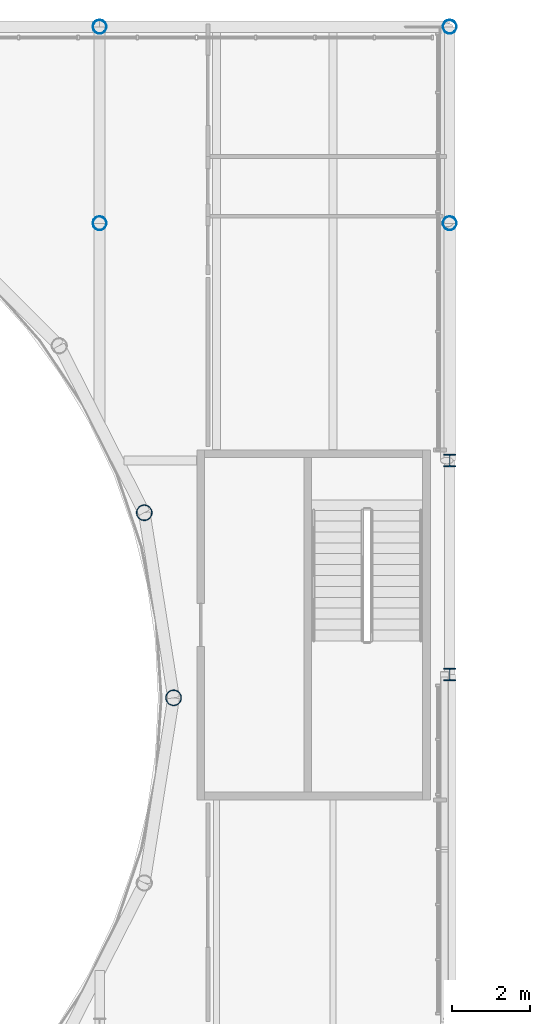
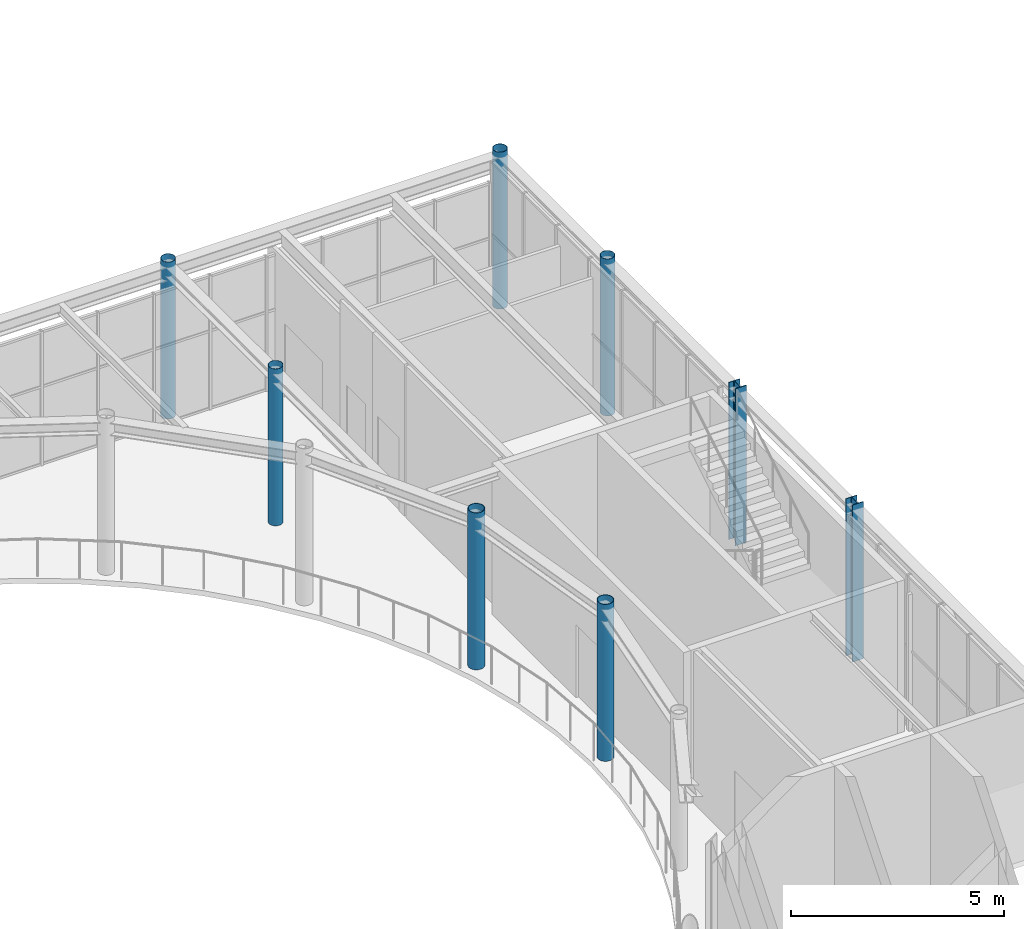
# One storey, part 13 of 111: 8 columns.
"""IFC4 building model written with IfcOpenShell, lengths in metres."""

import ifcopenshell
import ifcopenshell.guid

model = None  # the IFC model being written
_history = None  # IfcOwnerHistory: only IFC2X3 demands one
_inside = {}  # id of a spatial element -> (the spatial element, [elements in it])
_under = {}  # id of a project, library or spatial element -> (it, [spatial elements below it])
_declared = {}  # id of a project -> (the project, [libraries it declares])
_typed = {}  # id of a type object -> (the type object, [elements of that type])
_made_of = {}  # id of a material, layer set ... -> (it, [elements and type objects made of it])


def new_model(schema):
    """Start an empty IFC model of exactly this schema.

    Asked for "IFC4X3", IfcOpenShell would pick the latest addendum, in which some entities
    have other attributes; the version numbers below select the first issue.
    IFC2X3 requires an IfcOwnerHistory on every rooted entity: one is made here for all.
    """
    global model, _history
    if schema == "IFC4X3":
        model = ifcopenshell.file(schema_version=(4, 3, 0, 0))
    else:
        model = ifcopenshell.file(schema=schema)
    _inside.clear()
    _under.clear()
    _declared.clear()
    _typed.clear()
    _made_of.clear()
    _history = None
    if model.schema == "IFC2X3":
        org = make("IfcOrganization", Name="unknown")
        user = make(
            "IfcPersonAndOrganization",
            ThePerson=make("IfcPerson", FamilyName="unknown"),
            TheOrganization=org,
        )
        app = make(
            "IfcApplication",
            ApplicationDeveloper=org,
            Version="unknown",
            ApplicationFullName="unknown",
            ApplicationIdentifier="unknown",
        )
        _history = make(
            "IfcOwnerHistory",
            OwningUser=user,
            OwningApplication=app,
            ChangeAction="ADDED",
            CreationDate=0,
        )
    return model


def make(cls, **values):
    """One entity of the class cls with the attributes given. An attribute that is None is left unset."""
    return model.create_entity(
        cls, **{name: value for name, value in values.items() if value is not None}
    )


def rooted(cls, **values):
    """An entity with a GlobalId (a new one), such as an element, a storey or a relation."""
    return make(cls, GlobalId=ifcopenshell.guid.new(), OwnerHistory=_history, **values)


def si_unit(unit_type, name, prefix=None):
    """IfcSIUnit, for example si_unit("LENGTHUNIT", "METRE", prefix="MILLI")."""
    return make("IfcSIUnit", UnitType=unit_type, Prefix=prefix, Name=name)


def assignment(units):
    """IfcUnitAssignment: the units of a project."""
    return None if units is None else make("IfcUnitAssignment", Units=units)


def point(xyz):
    """IfcCartesianPoint."""
    return None if xyz is None else make("IfcCartesianPoint", Coordinates=xyz)


def direction(xyz):
    """IfcDirection."""
    return None if xyz is None else make("IfcDirection", DirectionRatios=xyz)


def frame(location, z_axis=None, x_axis=None):
    """IfcAxis2Placement3D, a coordinate frame: its origin and axes. An axis left out is left unset."""
    return make(
        "IfcAxis2Placement3D",
        Location=point(location),
        Axis=direction(z_axis),
        RefDirection=direction(x_axis),
    )


def frame_2d(location, x_axis=None):
    """IfcAxis2Placement2D, a coordinate frame in the plane: its origin and x axis."""
    return make(
        "IfcAxis2Placement2D", Location=point(location), RefDirection=direction(x_axis)
    )


def origin():
    """The frame at (0, 0, 0) with its axes left unset."""
    return frame((0.0, 0.0, 0.0))


def origin_2d():
    """The frame at (0, 0) in the plane with its x axis left unset."""
    return frame_2d((0.0, 0.0))


def place(relative_to, where):
    """IfcLocalPlacement: puts the frame where relative to a parent placement (None: the world)."""
    return make(
        "IfcLocalPlacement", PlacementRelTo=relative_to, RelativePlacement=where
    )


def context(
    kind, dimensions, precision=None, world=None, true_north=None, identifier=None
):
    """IfcGeometricRepresentationContext, for example the 3D "Model" context."""
    return make(
        "IfcGeometricRepresentationContext",
        ContextIdentifier=identifier,
        ContextType=kind,
        CoordinateSpaceDimension=dimensions,
        Precision=precision,
        WorldCoordinateSystem=world,
        TrueNorth=true_north,
    )


def subcontext(parent, identifier, kind, view, scale=None):
    """IfcGeometricRepresentationSubContext, for example "Body" below "Model"."""
    return make(
        "IfcGeometricRepresentationSubContext",
        ContextIdentifier=identifier,
        ContextType=kind,
        ParentContext=parent,
        TargetScale=scale,
        TargetView=view,
    )


def project(units=None, contexts=None):
    """IfcProject with its units and contexts."""
    return rooted(
        "IfcProject",
        Name="project",
        RepresentationContexts=contexts,
        UnitsInContext=assignment(units),
    )


def spatial(cls, under=None, at=None, **own):
    """A site, building, storey or space (cls), placed at a placement, below another one or the project."""
    s = rooted(cls, ObjectPlacement=at, **own)
    if under is not None:
        _under.setdefault(under.id(), (under, []))[1].append(s)
    return s


def profile(cls, at=None, kind="AREA", **sizes):
    """A parametric profile (cls). Its sizes go by their IFC names, for example OverallWidth=200.0."""
    return make(cls, ProfileType=kind, Position=at, **sizes)


def hollow_circle(**sizes):
    """IfcCircleHollowProfileDef."""
    return profile("IfcCircleHollowProfileDef", **sizes)


def i_section(**sizes):
    """IfcIShapeProfileDef."""
    return profile("IfcIShapeProfileDef", **sizes)


def extrude(swept, where, along, depth):
    """IfcExtrudedAreaSolid: the profile swept, set in the frame where, extruded along a direction by depth."""
    return make(
        "IfcExtrudedAreaSolid",
        SweptArea=swept,
        Position=where,
        ExtrudedDirection=direction(along),
        Depth=depth,
    )


def shape(context_of_items, identifier, shape_type, items):
    """IfcShapeRepresentation: the items that make up one representation, for example the "Body"."""
    return make(
        "IfcShapeRepresentation",
        ContextOfItems=context_of_items,
        RepresentationIdentifier=identifier,
        RepresentationType=shape_type,
        Items=items,
    )


def material(Name=None, Category=None):
    """IfcMaterial."""
    return make("IfcMaterial", Name=Name, Category=Category)


def material_profile(
    of_material, cross_section, Name=None, Category=None, Priority=None
):
    """IfcMaterialProfile: a cross section and its material."""
    return make(
        "IfcMaterialProfile",
        Name=Name,
        Material=of_material,
        Profile=cross_section,
        Priority=Priority,
        Category=Category,
    )


def profile_set(profiles, Name=None, composite=None):
    """IfcMaterialProfileSet."""
    return make(
        "IfcMaterialProfileSet",
        Name=Name,
        MaterialProfiles=profiles,
        CompositeProfile=composite,
    )


def made_of(thing, what):
    """Note that an element or type object is made of a material, layer set ...; save() writes the relation."""
    if what is not None:
        _made_of.setdefault(what.id(), (what, []))[1].append(thing)
    return thing


def type_object(cls, material=None, **own):
    """A type object (cls), such as IfcWallType, which elements share."""
    return made_of(rooted(cls, **own), material)


def element(
    cls,
    number,
    at=None,
    inside=None,
    cuts=None,
    type_object=None,
    material=None,
    context=None,
    identifier="Body",
    shape_type=None,
    held_by="IfcProductDefinitionShape",
    body=None,
    shapes=None,
    **own,
):
    """One element of the class cls, such as IfcWall. Its Tag is "e" and its number.

    at: its placement. inside: the storey or other place that contains it. cuts: it is an
    opening in that element (IfcRelVoidsElement). A single representation is given by context,
    identifier, shape_type and body (its items); several are given by shapes. held_by: the class
    of the entity that holds the representations. save() writes the other relations.
    """
    e = rooted(cls, Tag="e%d" % number, ObjectPlacement=at, **own)
    if body is not None:
        shapes = [shape(context, identifier, shape_type, body)]
    if shapes is not None:
        e.Representation = make(held_by, Representations=shapes)
    if inside is not None:
        _inside.setdefault(inside.id(), (inside, []))[1].append(e)
    if cuts is not None:
        rooted(
            "IfcRelVoidsElement", RelatingBuildingElement=cuts, RelatedOpeningElement=e
        )
    if type_object is not None:
        _typed.setdefault(type_object.id(), (type_object, []))[1].append(e)
    return made_of(e, material)


def aggregate(whole, parts):
    """IfcRelAggregates: a whole, such as a stair, and the parts it consists of."""
    return rooted("IfcRelAggregates", RelatingObject=whole, RelatedObjects=parts)


def save(model, path):
    """Write the relations noted so far, then the file.

    IfcRelAggregates (storeys below a building ...), IfcRelContainedInSpatialStructure (elements
    in a storey), IfcRelDefinesByType, IfcRelAssociatesMaterial and IfcRelDeclares: one each for
    every whole, place, type object, material and project.
    """
    for whole, parts in _under.values():
        aggregate(whole, parts)
    for where, things in _inside.values():
        rooted(
            "IfcRelContainedInSpatialStructure",
            RelatedElements=things,
            RelatingStructure=where,
        )
    for kind, things in _typed.values():
        rooted("IfcRelDefinesByType", RelatedObjects=things, RelatingType=kind)
    for what, things in _made_of.values():
        rooted("IfcRelAssociatesMaterial", RelatedObjects=things, RelatingMaterial=what)
    for by, libraries in _declared.values():
        rooted("IfcRelDeclares", RelatingContext=by, RelatedDefinitions=libraries)
    model.write(path)


model = new_model("IFC4")

# Units and contexts
model_context = context("Model", 3, precision=1e-05, world=origin(), true_north=direction((0.0, 1.0)))
body_context = subcontext(model_context, "Body", "Model", "MODEL_VIEW")
ifc_project = project(units=[si_unit("LENGTHUNIT", "METRE"), si_unit("AREAUNIT", "SQUARE_METRE"), si_unit("VOLUMEUNIT", "CUBIC_METRE"), si_unit("PLANEANGLEUNIT", "RADIAN"), si_unit("MASSUNIT", "GRAM", prefix="KILO")], contexts=[model_context])

# Site, building, storey
site_placement = place(None, origin())
site = spatial("IfcSite", under=ifc_project, at=site_placement, CompositionType="ELEMENT")
building_placement = place(site_placement, origin())
building = spatial("IfcBuilding", under=site, at=building_placement, Name="Kallimachos Central Library", CompositionType="ELEMENT")
storey_placement = place(building_placement, frame((0.0, 0.0, 14.39990234375)))
storey = spatial("IfcBuildingStorey", under=building, at=storey_placement, Name="L03", CompositionType="ELEMENT", Elevation=14.39990234375)

# Columns
ifc_material_1 = material(Name="Steel S355J2H", Category="steel")
ifc_material_profile_1 = material_profile(ifc_material_1, hollow_circle(Radius=0.177734375, WallThickness=0.008056640625, at=origin_2d()), Name="CHS 355.6x8")
ifc_profile_set_1 = profile_set([ifc_material_profile_1], Name="Steel S355J2H")
column_type_1 = type_object("IfcColumnType", Name="CHS 355.6x8 column", PredefinedType="COLUMN", material=ifc_profile_set_1)
for number, where, z_axis, x_axis, name in (
    (1, (101.5, 121.64990234375, 0.0), (0.0, 0.0, 1.0), (1.0, 0.0, 0.0), "V1-COL-L03-038"),
    (2, (110.5, 121.64990234375, 0.0), (0.0, 0.0, 1.0), (1.0, 0.0, 0.0), "V1-COL-L03-040"),
    (3, (101.5, 116.60009765625, 0.0), (0.0, 0.0, 1.0), (1.0, 0.0, 0.0), "V1-COL-L03-045"),
    (4, (110.5, 116.60009765625, 0.0), (0.0, 0.0, 1.0), (1.0, 0.0, 0.0), "V1-COL-L03-046"),
):
    element("IfcColumn", number, at=place(storey_placement, frame(where, z_axis=z_axis, x_axis=x_axis)), inside=storey, type_object=column_type_1, Name=name, PredefinedType="COLUMN", context=body_context, shape_type="SweptSolid", body=[
        extrude(hollow_circle(Radius=0.177734375, WallThickness=0.008056640625, at=origin_2d()), origin(), (0.0, 0.0, 1.0), 4.5),
    ])
ifc_material_2 = material(Name="Steel S355J2H", Category="steel")
ifc_material_profile_2 = material_profile(ifc_material_2, hollow_circle(Radius=0.203125, WallThickness=0.01611328125, at=origin_2d()), Name="CHS 406.4x16")
ifc_profile_set_2 = profile_set([ifc_material_profile_2], Name="Steel S355J2H")
column_type_2 = type_object("IfcColumnType", Name="CHS 406.4x16 column", PredefinedType="COLUMN", material=ifc_profile_set_2)
for number, where, z_axis, x_axis, name in (
    (5, (103.39990234375, 104.39990234375, 0.0), (0.0, 0.0, 1.0), (1.0, 0.0, 0.0), "V1-COL-L03-015"),
    (6, (102.646240234375, 109.158935546875, 0.0), (0.0, 0.0, 1.0), (1.0, 0.0, 0.0), "V1-COL-L03-016"),
):
    element("IfcColumn", number, at=place(storey_placement, frame(where, z_axis=z_axis, x_axis=x_axis)), inside=storey, type_object=column_type_2, Name=name, PredefinedType="COLUMN", context=body_context, shape_type="SweptSolid", body=[
        extrude(hollow_circle(Radius=0.203125, WallThickness=0.01611328125, at=origin_2d()), origin(), (0.0, 0.0, 1.0), 4.5),
    ])
ifc_material_3 = material(Name="Steel S355J2", Category="steel")
ifc_material_profile_3 = material_profile(ifc_material_3, i_section(OverallWidth=0.300048828125, OverallDepth=0.320068359375, WebThickness=0.011474609375, FlangeThickness=0.0205078125, FilletRadius=0.027099609375, at=origin_2d()), Name="HEB 320")
ifc_profile_set_3 = profile_set([ifc_material_profile_3], Name="Steel S355J2")
column_type_3 = type_object("IfcColumnType", Name="HEB 320 column", PredefinedType="COLUMN", material=ifc_profile_set_3)
for number, where, z_axis, x_axis, name in (
    (7, (110.5, 105.0, 0.0), (0.0, 0.0, 1.0), (1.0, 0.0, 0.0), "V1-COL-L03-012"),
    (8, (110.5, 110.5, 0.0), (0.0, 0.0, 1.0), (1.0, 0.0, 0.0), "V1-COL-L03-014"),
):
    element("IfcColumn", number, at=place(storey_placement, frame(where, z_axis=z_axis, x_axis=x_axis)), inside=storey, type_object=column_type_3, Name=name, PredefinedType="COLUMN", context=body_context, shape_type="SweptSolid", body=[
        extrude(i_section(OverallWidth=0.300048828125, OverallDepth=0.320068359375, WebThickness=0.011474609375, FlangeThickness=0.0205078125, FilletRadius=0.027099609375, at=origin_2d()), origin(), (0.0, 0.0, 1.0), 4.5),
    ])

save(model, "model.ifc")
